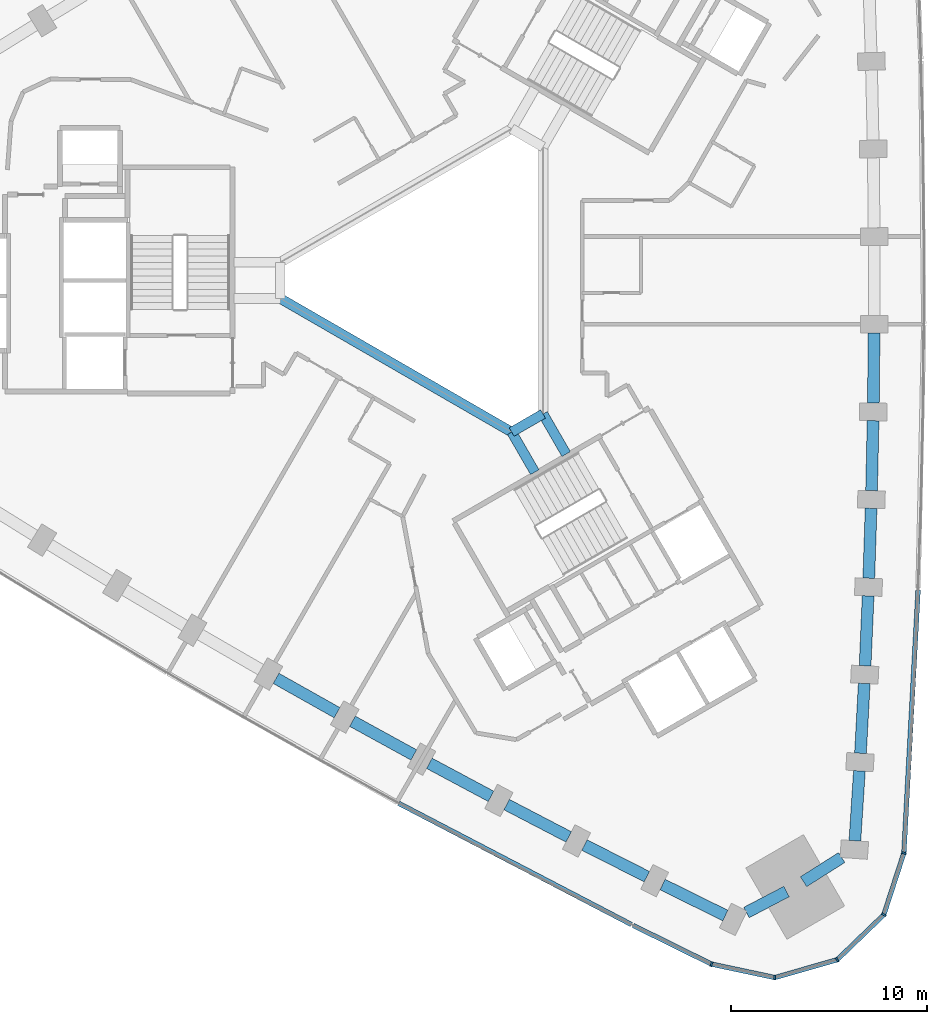
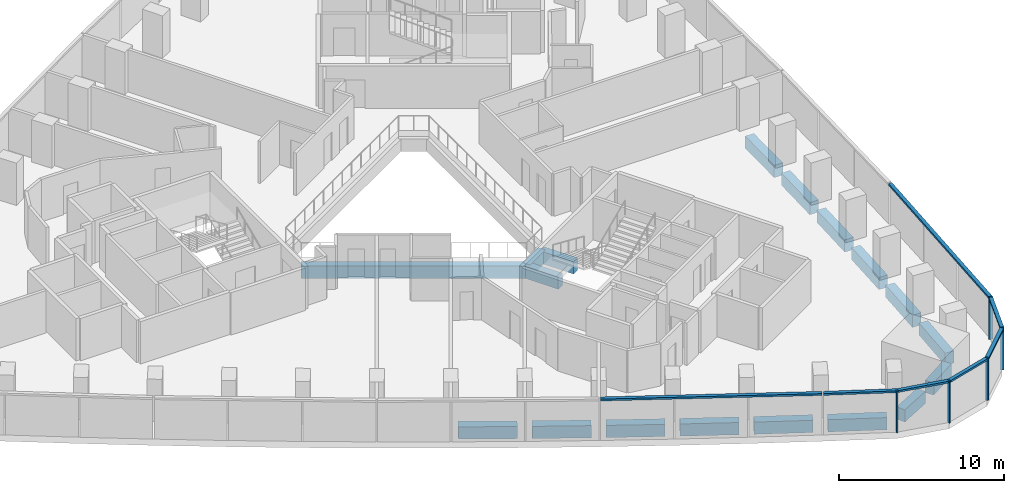
# One storey, part 3 of 13: 18 beams, 12 members, 2 elements without a shape of their own.
"""IFC4 building model written with IfcOpenShell, lengths in metres."""

from ifc_helpers import new_model, si_unit, direction, frame, origin, origin_2d, place, context, subcontext, project, spatial, rectangle, extrude, material, material_profile, profile_set, type_object, element, aggregate, save


model = new_model("IFC4")

# Units and contexts
model_context = context("Model", 3, precision=1e-05, world=origin(), true_north=direction((0.0, 1.0)))
body_context = subcontext(model_context, "Body", "Model", "MODEL_VIEW")
ifc_project = project(units=[si_unit("LENGTHUNIT", "METRE"), si_unit("AREAUNIT", "SQUARE_METRE"), si_unit("VOLUMEUNIT", "CUBIC_METRE"), si_unit("PLANEANGLEUNIT", "RADIAN"), si_unit("MASSUNIT", "GRAM", prefix="KILO")], contexts=[model_context])

# Site, building, storey
site_placement = place(None, origin())
site = spatial("IfcSite", under=ifc_project, at=site_placement, CompositionType="ELEMENT")
building_placement = place(site_placement, origin())
building = spatial("IfcBuilding", under=site, at=building_placement, Name="Tamra Quay Hotel Tower", CompositionType="ELEMENT")
storey_placement = place(building_placement, frame((0.0, 0.0, 49.39990234375)))
storey = spatial("IfcBuildingStorey", under=building, at=storey_placement, Name="L10", CompositionType="ELEMENT", Elevation=49.39990234375)

# Beams
ifc_material_1 = material(Name="Concrete M60", Category="concrete")
ifc_material_profile_1 = material_profile(ifc_material_1, rectangle(XDim=0.5, YDim=0.89990234375, at=origin_2d()), Name="ATRIUM EDGE BEAM RC 500x900")
ifc_profile_set_1 = profile_set([ifc_material_profile_1], Name="Concrete M60")
beam_type_1 = type_object("IfcBeamType", Name="ATRIUM EDGE BEAM RC 500x900", PredefinedType="BEAM", material=ifc_profile_set_1)
beam_1_placement = place(storey_placement, frame((5.0, -6.812744140625, -0.9248046875), z_axis=(-0.86602275259, -0.500004591975, 0.0), x_axis=(0.500004591975, -0.86602275259, 0.0)))
element("IfcBeam", 1, at=beam_1_placement, inside=storey, type_object=beam_type_1, Name="BM-AB1-L10", PredefinedType="BEAM", context=body_context, shape_type="SweptSolid", body=[
    extrude(rectangle(XDim=0.5, YDim=0.89990234375, at=origin_2d()), origin(), (0.0, 0.0, 1.0), 1.84765625),
])
beam_2_placement = place(storey_placement, frame((3.39990234375, -7.736572265625, -0.9248046875), z_axis=(-0.866021471679, 0.500006810544, 0.0), x_axis=(-0.500006810544, -0.866021471679, 0.0)))
element("IfcBeam", 2, at=beam_2_placement, inside=storey, type_object=beam_type_1, Name="BM-AB2-L10", PredefinedType="BEAM", context=body_context, shape_type="SweptSolid", body=[
    extrude(rectangle(XDim=0.5, YDim=0.89990234375, at=origin_2d()), origin(), (0.0, 0.0, 1.0), 13.625244140625),
])
ifc_material_profile_2 = material_profile(ifc_material_1, rectangle(XDim=0.5, YDim=0.89990234375, at=origin_2d()), Name="ATRIUM TIE BEAM RC 500x900")
ifc_profile_set_2 = profile_set([ifc_material_profile_2], Name="Concrete M60")
beam_type_2 = type_object("IfcBeamType", Name="ATRIUM TIE BEAM RC 500x900", PredefinedType="BEAM", material=ifc_profile_set_2)
for number, where, z_axis, x_axis, name in (
    (3, (5.0, -6.812744140625, -0.9248046875), (0.500029618126, -0.866008303076, 0.0), (0.866008303076, 0.500029618126, 0.0), "BM-TIE-1-L10"),
    (4, (3.39990234375, -7.736572265625, -0.9248046875), (0.500029618126, -0.866008303076, 0.0), (0.866008303076, 0.500029618126, 0.0), "BM-TIE-2-L10"),
):
    element("IfcBeam", number, at=place(storey_placement, frame(where, z_axis=z_axis, x_axis=x_axis)), inside=storey, type_object=beam_type_2, Name=name, PredefinedType="BEAM", context=body_context, shape_type="SweptSolid", body=[
        extrude(rectangle(XDim=0.5, YDim=0.89990234375, at=origin_2d()), origin(), (0.0, 0.0, 1.0), 2.362060546875),
    ])

# Curtain wall, member
ifc_material_2 = material(Name="Aluminium 6063 anodised dark grey", Category="aluminium")
curtain_wall_type_1 = type_object("IfcCurtainWallType", Name="CW1 CURTAIN WALL", PredefinedType="NOTDEFINED", material=ifc_material_2)
curtain_wall_1_placement = place(storey_placement, origin())
curtain_wall_1 = element("IfcCurtainWall", 5, at=curtain_wall_1_placement, inside=storey, type_object=curtain_wall_type_1, Name="CW1 east face L10", PredefinedType="NOTDEFINED")
ifc_material_profile_3 = material_profile(ifc_material_2, rectangle(XDim=0.239990234375, YDim=0.10009765625, at=origin_2d()), Name="MULLION 100X240")
ifc_profile_set_3 = profile_set([ifc_material_profile_3], Name="Aluminium 6063 anodised dark grey")
member_type_1 = type_object("IfcMemberType", Name="MULLION CW1 Z1", PredefinedType="MULLION", material=ifc_profile_set_3)
member_1_placement = place(storey_placement, frame((23.40869140625, -29.2109375, 0.0), z_axis=(0.0, 0.0, 1.0), x_axis=(0.982094529733, -0.188388785943, 0.0)))
member_1 = element("IfcMember", 6, at=member_1_placement, type_object=member_type_1, Name="CW1 mullion L10.E.1", PredefinedType="MULLION", context=body_context, shape_type="SweptSolid", body=[
    extrude(rectangle(XDim=0.239990234375, YDim=0.10009765625, at=origin_2d()), origin(), (0.0, 0.0, 1.0), 3.125),
])

# Curtain wall, members
curtain_wall_type_2 = type_object("IfcCurtainWallType", Name="CW3 CURTAIN WALL", PredefinedType="NOTDEFINED", material=ifc_material_2)
curtain_wall_2_placement = place(storey_placement, origin())
curtain_wall_2 = element("IfcCurtainWall", 7, at=curtain_wall_2_placement, inside=storey, type_object=curtain_wall_type_2, Name="CW3 south-west face L10", PredefinedType="NOTDEFINED")
ifc_material_profile_4 = material_profile(ifc_material_2, rectangle(XDim=0.239990234375, YDim=0.10009765625, at=origin_2d()), Name="MULLION 100X240")
ifc_profile_set_4 = profile_set([ifc_material_profile_4], Name="Aluminium 6063 anodised dark grey")
member_type_2 = type_object("IfcMemberType", Name="MULLION CW3 Z1", PredefinedType="MULLION", material=ifc_profile_set_4)
member_2_placement = place(storey_placement, frame((13.593017578125, -34.8779296875, 0.0), z_axis=(0.0, 0.0, 1.0), x_axis=(-0.327897790452, -0.944713204638, 0.0)))
member_2 = element("IfcMember", 8, at=member_2_placement, type_object=member_type_2, Name="CW3 mullion L10.SW.14", PredefinedType="MULLION", context=body_context, shape_type="SweptSolid", body=[
    extrude(rectangle(XDim=0.239990234375, YDim=0.10009765625, at=origin_2d()), origin(), (0.0, 0.0, 1.0), 3.125),
])
member_3_placement = place(storey_placement, frame((16.828125, -35.5654296875, 0.0), z_axis=(0.0, 0.0, 1.0), x_axis=(0.034915999879, -0.999390250579, 0.0)))
member_3 = element("IfcMember", 9, at=member_3_placement, type_object=member_type_2, Name="CW3 mullion L10.SW.15", PredefinedType="MULLION", context=body_context, shape_type="SweptSolid", body=[
    extrude(rectangle(XDim=0.239990234375, YDim=0.10009765625, at=origin_2d()), origin(), (0.0, 0.0, 1.0), 3.125),
])
member_4_placement = place(storey_placement, frame((20.00732421875, -34.65380859375, 0.0), z_axis=(0.0, 0.0, 1.0), x_axis=(0.5, -0.866025403784, 0.0)))
member_4 = element("IfcMember", 10, at=member_4_placement, type_object=member_type_2, Name="CW3 mullion L10.SW.16", PredefinedType="MULLION", context=body_context, shape_type="SweptSolid", body=[
    extrude(rectangle(XDim=0.239990234375, YDim=0.10009765625, at=origin_2d()), origin(), (0.0, 0.0, 1.0), 3.125),
])
member_5_placement = place(storey_placement, frame((22.386474609375, -32.356201171875, 0.0), z_axis=(0.0, 0.0, 1.0), x_axis=(0.848039345356, -0.529933268183, 0.0)))
member_5 = element("IfcMember", 11, at=member_5_placement, type_object=member_type_2, Name="CW3 mullion L10.SW.17", PredefinedType="MULLION", context=body_context, shape_type="SweptSolid", body=[
    extrude(rectangle(XDim=0.239990234375, YDim=0.10009765625, at=origin_2d()), origin(), (0.0, 0.0, 1.0), 3.125),
])

# Beams
ifc_material_profile_5 = material_profile(ifc_material_1, rectangle(XDim=0.60009765625, YDim=0.89990234375, at=origin_2d()), Name="SPANDREL BEAM RC 600x900")
ifc_profile_set_5 = profile_set([ifc_material_profile_5], Name="Concrete M60")
beam_type_3 = type_object("IfcBeamType", Name="SPANDREL BEAM RC 600x900", PredefinedType="SPANDREL", material=ifc_profile_set_5)
beam_3_placement = place(storey_placement, frame((20.908203125, -28.584716796875, -0.9248046875), z_axis=(0.064749077985, 0.99790157676, 0.0), x_axis=(-0.99790157676, 0.064749077985, 0.0)))
element("IfcBeam", 12, at=beam_3_placement, inside=storey, type_object=beam_type_3, Name="BM-SP1-000-L10", PredefinedType="SPANDREL", context=body_context, shape_type="SweptSolid", body=[
    extrude(rectangle(XDim=0.60009765625, YDim=0.89990234375, at=origin_2d()), origin(), (0.0, 0.0, 1.0), 3.57080078125),
])
beam_4_placement = place(storey_placement, frame((21.193115234375, -24.123046875, -0.9248046875), z_axis=(0.054026860576, 0.998539482613, 0.0), x_axis=(-0.998539482613, 0.054026860576, 0.0)))
element("IfcBeam", 13, at=beam_4_placement, inside=storey, type_object=beam_type_3, Name="BM-SP1-001-L10", PredefinedType="SPANDREL", context=body_context, shape_type="SweptSolid", body=[
    extrude(rectangle(XDim=0.60009765625, YDim=0.89990234375, at=origin_2d()), origin(), (0.0, 0.0, 1.0), 3.56982421875),
])
for number, where, z_axis, x_axis, name in (
    (14, (21.429931640625, -19.659423828125, -0.9248046875), (0.043282922957, 0.99906285517, 0.0), (-0.99906285517, 0.043282922957, 0.0), "BM-SP1-002-L10"),
    (15, (21.618408203125, -15.19287109375, -0.9248046875), (0.032547568535, 0.999470187541, 0.0), (-0.999470187541, 0.032547568535, 0.0), "BM-SP1-003-L10"),
):
    element("IfcBeam", number, at=place(storey_placement, frame(where, z_axis=z_axis, x_axis=x_axis)), inside=storey, type_object=beam_type_3, Name=name, PredefinedType="SPANDREL", context=body_context, shape_type="SweptSolid", body=[
        extrude(rectangle(XDim=0.60009765625, YDim=0.89990234375, at=origin_2d()), origin(), (0.0, 0.0, 1.0), 3.570556640625),
    ])
beam_5_placement = place(storey_placement, frame((21.7587890625, -10.724609375, -0.9248046875), z_axis=(0.021679013576, 0.999764982569, 0.0), x_axis=(-0.999764982569, 0.021679013576, 0.0)))
element("IfcBeam", 16, at=beam_5_placement, inside=storey, type_object=beam_type_3, Name="BM-SP1-004-L10", PredefinedType="SPANDREL", context=body_context, shape_type="SweptSolid", body=[
    extrude(rectangle(XDim=0.60009765625, YDim=0.89990234375, at=origin_2d()), origin(), (0.0, 0.0, 1.0), 3.56982421875),
])
for number, where, z_axis, x_axis, name in (
    (17, (21.850830078125, -6.255615234375, -0.9248046875), (0.010803527021, 0.999941640199, 0.0), (-0.999941640199, 0.010803527021, 0.0), "BM-SP1-005-L10"),
    (18, (-8.619384765625, -20.299560546875, -0.9248046875), (0.871431243693, -0.49051767299, 0.0), (0.49051767299, 0.871431243693, 0.0), "BM-SP1-037-L10"),
):
    element("IfcBeam", number, at=place(storey_placement, frame(where, z_axis=z_axis, x_axis=x_axis)), inside=storey, type_object=beam_type_3, Name=name, PredefinedType="SPANDREL", context=body_context, shape_type="SweptSolid", body=[
        extrude(rectangle(XDim=0.60009765625, YDim=0.89990234375, at=origin_2d()), origin(), (0.0, 0.0, 1.0), 3.570556640625),
    ])
beam_6_placement = place(storey_placement, frame((-4.72119140625, -22.48828125, -0.9248046875), z_axis=(0.876617015828, -0.481188744216, 0.0), x_axis=(0.481188744216, 0.876617015828, 0.0)))
element("IfcBeam", 19, at=beam_6_placement, inside=storey, type_object=beam_type_3, Name="BM-SP1-038-L10", PredefinedType="SPANDREL", context=body_context, shape_type="SweptSolid", body=[
    extrude(rectangle(XDim=0.60009765625, YDim=0.89990234375, at=origin_2d()), origin(), (0.0, 0.0, 1.0), 3.56982421875),
])
beam_7_placement = place(storey_placement, frame((-0.80029296875, -24.634765625, -0.9248046875), z_axis=(0.881809110934, -0.471606501094, 0.0), x_axis=(0.471606501094, 0.881809110934, 0.0)))
element("IfcBeam", 20, at=beam_7_placement, inside=storey, type_object=beam_type_3, Name="BM-SP1-039-L10", PredefinedType="SPANDREL", context=body_context, shape_type="SweptSolid", body=[
    extrude(rectangle(XDim=0.60009765625, YDim=0.89990234375, at=origin_2d()), origin(), (0.0, 0.0, 1.0), 3.5703125),
])
beam_8_placement = place(storey_placement, frame((3.14404296875, -26.73876953125, -0.9248046875), z_axis=(0.886863886749, -0.462030785101, 0.0), x_axis=(0.462030785101, 0.886863886749, 0.0)))
element("IfcBeam", 21, at=beam_8_placement, inside=storey, type_object=beam_type_3, Name="BM-SP1-040-L10", PredefinedType="SPANDREL", context=body_context, shape_type="SweptSolid", body=[
    extrude(rectangle(XDim=0.60009765625, YDim=0.89990234375, at=origin_2d()), origin(), (0.0, 0.0, 1.0), 3.570556640625),
])
beam_9_placement = place(storey_placement, frame((7.111083984375, -28.800048828125, -0.9248046875), z_axis=(0.891785652583, -0.452458119439, 0.0), x_axis=(0.452458119439, 0.891785652583, 0.0)))
element("IfcBeam", 22, at=beam_9_placement, inside=storey, type_object=beam_type_3, Name="BM-SP1-041-L10", PredefinedType="SPANDREL", context=body_context, shape_type="SweptSolid", body=[
    extrude(rectangle(XDim=0.60009765625, YDim=0.89990234375, at=origin_2d()), origin(), (0.0, 0.0, 1.0), 3.56982421875),
])
beam_10_placement = place(storey_placement, frame((11.099365234375, -30.818115234375, -0.9248046875), z_axis=(0.896604328032, -0.442832563113, 0.0), x_axis=(0.442832563113, 0.896604328032, 0.0)))
element("IfcBeam", 23, at=beam_10_placement, inside=storey, type_object=beam_type_3, Name="BM-SP1-042-L10", PredefinedType="SPANDREL", context=body_context, shape_type="SweptSolid", body=[
    extrude(rectangle(XDim=0.60009765625, YDim=0.89990234375, at=origin_2d()), origin(), (0.0, 0.0, 1.0), 3.57080078125),
])
beam_11_placement = place(storey_placement, frame((15.377197265625, -32.24609375, -0.9248046875), z_axis=(0.885674154565, 0.464307324879, 0.0), x_axis=(-0.464307324879, 0.885674154565, 0.0)))
element("IfcBeam", 24, at=beam_11_placement, inside=storey, type_object=beam_type_3, Name="BM-SP1-043-L10", PredefinedType="SPANDREL", context=body_context, shape_type="SweptSolid", body=[
    extrude(rectangle(XDim=0.60009765625, YDim=0.89990234375, at=origin_2d()), origin(), (0.0, 0.0, 1.0), 2.308349609375),
])
beam_12_placement = place(storey_placement, frame((18.28662109375, -30.6748046875, -0.9248046875), z_axis=(0.844978382684, 0.53480046073, 0.0), x_axis=(-0.53480046073, 0.844978382684, 0.0)))
element("IfcBeam", 25, at=beam_12_placement, inside=storey, type_object=beam_type_3, Name="BM-SP1-044-L10", PredefinedType="SPANDREL", context=body_context, shape_type="SweptSolid", body=[
    extrude(rectangle(XDim=0.60009765625, YDim=0.89990234375, at=origin_2d()), origin(), (0.0, 0.0, 1.0), 2.30859375),
])

# Member
ifc_material_profile_6 = material_profile(ifc_material_2, rectangle(XDim=0.239990234375, YDim=0.139892578125, at=origin_2d()), Name="TRANSOM 240X140")
ifc_profile_set_6 = profile_set([ifc_material_profile_6], Name="Aluminium 6063 anodised dark grey")
member_type_3 = type_object("IfcMemberType", Name="TRANSOM CW1 Z1", PredefinedType="USERDEFINED", material=ifc_profile_set_6)
member_6_placement = place(storey_placement, frame((23.411865234375, -29.160888671875, 3.05517578125), z_axis=(0.054052387444, 0.998538101132, 0.0), x_axis=(-0.998538101132, 0.054052387444, 0.0)))
member_6 = element("IfcMember", 26, at=member_6_placement, type_object=member_type_3, Name="CW1 transom L10.E.1", ObjectType="TRANSOM", PredefinedType="USERDEFINED", context=body_context, shape_type="SweptSolid", body=[
    extrude(rectangle(XDim=0.239990234375, YDim=0.139892578125, at=origin_2d()), origin(), (0.0, 0.0, 1.0), 13.39208984375),
])

aggregate(curtain_wall_1, [member_1, member_6])

ifc_material_profile_7 = material_profile(ifc_material_2, rectangle(XDim=0.239990234375, YDim=0.139892578125, at=origin_2d()), Name="TRANSOM 240X140")
ifc_profile_set_7 = profile_set([ifc_material_profile_7], Name="Aluminium 6063 anodised dark grey")
member_type_4 = type_object("IfcMemberType", Name="TRANSOM CW3 Z1", PredefinedType="USERDEFINED", material=ifc_profile_set_7)
member_7_placement = place(storey_placement, frame((-2.360595703125, -26.67578125, 3.05517578125), z_axis=(0.886850905356, -0.462055701913, 0.0), x_axis=(0.462055701913, 0.886850905356, 0.0)))
member_7 = element("IfcMember", 27, at=member_7_placement, type_object=member_type_4, Name="CW3 transom L10.SW.10", ObjectType="TRANSOM", PredefinedType="USERDEFINED", context=body_context, shape_type="SweptSolid", body=[
    extrude(rectangle(XDim=0.239990234375, YDim=0.139892578125, at=origin_2d()), origin(), (0.0, 0.0, 1.0), 13.392822265625),
])

member_8_placement = place(storey_placement, frame((9.606201171875, -32.908935546875, 3.05517578125), z_axis=(0.89661543445, -0.442810075208, 0.0), x_axis=(0.442810075208, 0.89661543445, 0.0)))
member_8 = element("IfcMember", 28, at=member_8_placement, type_object=member_type_4, Name="CW3 transom L10.SW.13", ObjectType="TRANSOM", PredefinedType="USERDEFINED", context=body_context, shape_type="SweptSolid", body=[
    extrude(rectangle(XDim=0.239990234375, YDim=0.139892578125, at=origin_2d()), origin(), (0.0, 0.0, 1.0), 4.396484375),
])

member_9_placement = place(storey_placement, frame((13.641845703125, -34.88818359375, 3.05517578125), z_axis=(0.978156336052, -0.20787059013, 0.0), x_axis=(0.20787059013, 0.978156336052, 0.0)))
member_9 = element("IfcMember", 29, at=member_9_placement, type_object=member_type_4, Name="CW3 transom L10.SW.14", ObjectType="TRANSOM", PredefinedType="USERDEFINED", context=body_context, shape_type="SweptSolid", body=[
    extrude(rectangle(XDim=0.239990234375, YDim=0.139892578125, at=origin_2d()), origin(), (0.0, 0.0, 1.0), 3.20751953125),
])

member_10_placement = place(storey_placement, frame((16.876220703125, -35.551513671875, 3.05517578125), z_axis=(0.961262114071, 0.275635897612, 0.0), x_axis=(-0.275635897612, 0.961262114071, 0.0)))
member_10 = element("IfcMember", 30, at=member_10_placement, type_object=member_type_4, Name="CW3 transom L10.SW.15", ObjectType="TRANSOM", PredefinedType="USERDEFINED", context=body_context, shape_type="SweptSolid", body=[
    extrude(rectangle(XDim=0.239990234375, YDim=0.139892578125, at=origin_2d()), origin(), (0.0, 0.0, 1.0), 3.207275390625),
])

member_11_placement = place(storey_placement, frame((20.043212890625, -34.618896484375, 3.05517578125), z_axis=(0.719405395398, 0.694590438367, 0.0), x_axis=(-0.694590438367, 0.719405395398, 0.0)))
member_11 = element("IfcMember", 31, at=member_11_placement, type_object=member_type_4, Name="CW3 transom L10.SW.16", ObjectType="TRANSOM", PredefinedType="USERDEFINED", context=body_context, shape_type="SweptSolid", body=[
    extrude(rectangle(XDim=0.239990234375, YDim=0.139892578125, at=origin_2d()), origin(), (0.0, 0.0, 1.0), 3.207275390625),
])

member_12_placement = place(storey_placement, frame((22.40185546875, -32.308837890625, 3.05517578125), z_axis=(0.309025833938, 0.951053644102, 0.0), x_axis=(-0.951053644102, 0.309025833938, 0.0)))
member_12 = element("IfcMember", 32, at=member_12_placement, type_object=member_type_4, Name="CW3 transom L10.SW.17", ObjectType="TRANSOM", PredefinedType="USERDEFINED", context=body_context, shape_type="SweptSolid", body=[
    extrude(rectangle(XDim=0.239990234375, YDim=0.139892578125, at=origin_2d()), origin(), (0.0, 0.0, 1.0), 3.20751953125),
])

aggregate(curtain_wall_2, [member_7, member_8, member_2, member_9, member_3, member_10, member_4, member_11, member_5, member_12])

save(model, "model.ifc")
